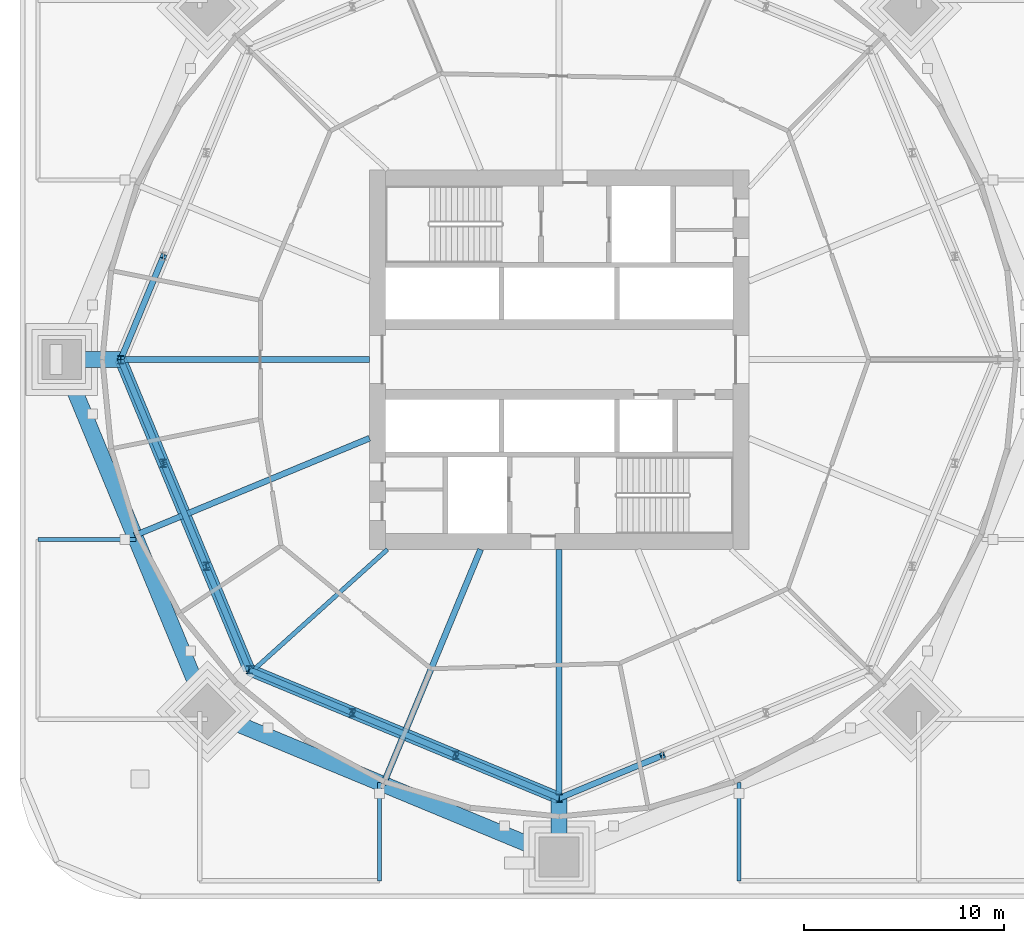
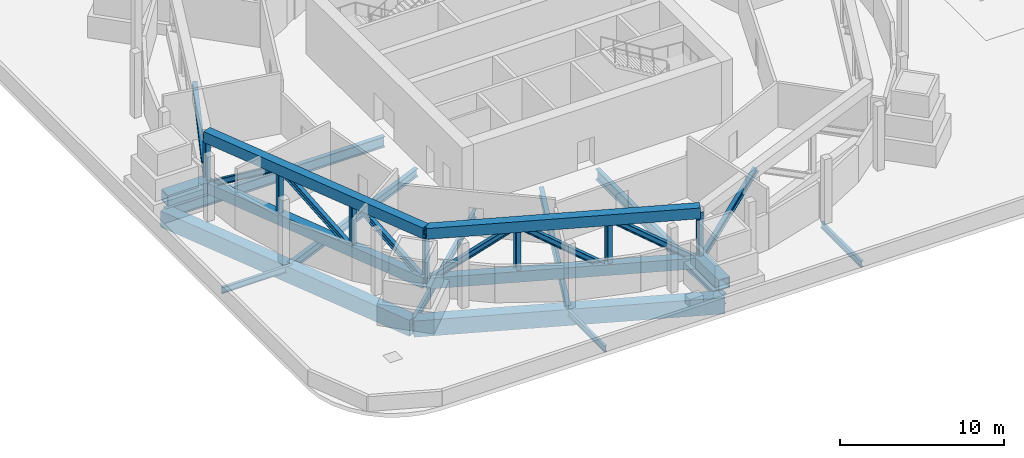
# One storey, part 2 of 21: 19 members, 12 beams.
"""IFC4 building model written with IfcOpenShell, lengths in metres."""

from ifc_helpers import new_model, si_unit, direction, frame, origin, origin_2d, place, context, subcontext, project, spatial, hollow_rectangle, i_section, extrude, material, material_profile, profile_set, type_object, element, save


model = new_model("IFC4")

# Units and contexts
model_context = context("Model", 3, precision=1e-05, world=origin(), true_north=direction((0.0, 1.0)))
body_context = subcontext(model_context, "Body", "Model", "MODEL_VIEW")
ifc_project = project(units=[si_unit("LENGTHUNIT", "METRE"), si_unit("AREAUNIT", "SQUARE_METRE"), si_unit("VOLUMEUNIT", "CUBIC_METRE"), si_unit("PLANEANGLEUNIT", "RADIAN"), si_unit("MASSUNIT", "GRAM", prefix="KILO")], contexts=[model_context])

# Site, building, storey
site_placement = place(None, origin())
site = spatial("IfcSite", under=ifc_project, at=site_placement, CompositionType="ELEMENT")
building_placement = place(site_placement, origin())
building = spatial("IfcBuilding", under=site, at=building_placement, Name="Ogive Gate Towers", CompositionType="ELEMENT")
storey_placement = place(building_placement, frame((0.0, 0.0, 27.60009765625)))
storey = spatial("IfcBuildingStorey", under=building, at=storey_placement, Name="L05", CompositionType="ELEMENT", Elevation=27.60009765625)

# Beams
ifc_material_1 = material(Name="Steel SM460", Category="steel")
ifc_material_profile_1 = material_profile(ifc_material_1, hollow_rectangle(XDim=0.800048828125, YDim=1.199951171875, WallThickness=0.050048828125, at=origin_2d()), Name="BX 1200x800x50")
ifc_profile_set_1 = profile_set([ifc_material_profile_1], Name="Steel SM460")
beam_type_1 = type_object("IfcBeamType", Name="Edge girder BX 1200x800x50", PredefinedType="BEAM", material=ifc_profile_set_1)
for number, where, z_axis, x_axis, name in (
    (1, (-53.614013671875, -17.614013671875, -0.900146484375), (0.923880736283, -0.382680526191, 0.0), (0.382680526191, 0.923880736283, 0.0), "T1/L05/SBM017"),
    (2, (-60.909912109375, 0.0, -0.900146484375), (0.382680526191, -0.923880736283, 0.0), (0.923880736283, 0.382680526191, 0.0), "T1/L05/SBM024"),
):
    element("IfcBeam", number, at=place(storey_placement, frame(where, z_axis=z_axis, x_axis=x_axis)), inside=storey, type_object=beam_type_1, Name=name, PredefinedType="BEAM", context=body_context, shape_type="SweptSolid", body=[
        extrude(hollow_rectangle(XDim=0.800048828125, YDim=1.199951171875, WallThickness=0.050048828125, at=origin_2d()), origin(), (0.0, 0.0, 1.0), 19.065185546875),
    ])
ifc_material_2 = material(Name="Steel SM355", Category="steel")
ifc_material_profile_2 = material_profile(ifc_material_2, i_section(OverallWidth=0.18994140625, OverallDepth=0.449951171875, WebThickness=0.009521484375, FlangeThickness=0.0146484375, FilletRadius=0.02099609375, at=origin_2d()), Name="IPE 450")
ifc_profile_set_2 = profile_set([ifc_material_profile_2], Name="Steel SM355")
beam_type_2 = type_object("IfcBeamType", Name="Floor beam IPE 450", PredefinedType="BEAM", material=ifc_profile_set_2)
for number, where, z_axis, x_axis, name in (
    (3, (-62.10009765625, -9.0, -0.525146484375), (1.0, 0.0, 0.0), (0.0, 1.0, 0.0), "PD/L05/SBM051"),
    (4, (-45.0, -26.10009765625, -0.525146484375), (0.0, 1.0, 0.0), (-1.0, 0.0, 0.0), "PD/L05/SBM053"),
    (5, (-27.0, -26.10009765625, -0.525146484375), (0.0, 1.0, 0.0), (-1.0, 0.0, 0.0), "PD/L05/SBM055"),
):
    element("IfcBeam", number, at=place(storey_placement, frame(where, z_axis=z_axis, x_axis=x_axis)), inside=storey, type_object=beam_type_2, Name=name, PredefinedType="BEAM", context=body_context, shape_type="SweptSolid", body=[
        extrude(i_section(OverallWidth=0.18994140625, OverallDepth=0.449951171875, WebThickness=0.009521484375, FlangeThickness=0.0146484375, FilletRadius=0.02099609375, at=origin_2d()), origin(), (0.0, 0.0, 1.0), 4.91796875),
    ])
ifc_material_profile_3 = material_profile(ifc_material_1, hollow_rectangle(XDim=0.800048828125, YDim=0.800048828125, WallThickness=0.050048828125, at=origin_2d()), Name="BX 800x800x50")
ifc_profile_set_3 = profile_set([ifc_material_profile_3], Name="Steel SM460")
beam_type_3 = type_object("IfcBeamType", Name="Node arm BX 800x800x50", PredefinedType="BEAM", material=ifc_profile_set_3)
for number, where, z_axis, x_axis, name in (
    (6, (-57.9599609375, 0.0, 0.449951171875), (-1.0, 0.0, 0.0), (0.0, -1.0, 0.0), "T1/L05/SBM029"),
    (7, (-36.0, -21.9599609375, 0.449951171875), (0.0, -1.0, 0.0), (1.0, 0.0, 0.0), "T1/L05/SBM031"),
):
    element("IfcBeam", number, at=place(storey_placement, frame(where, z_axis=z_axis, x_axis=x_axis)), inside=storey, type_object=beam_type_3, Name=name, PredefinedType="BEAM", context=body_context, shape_type="SweptSolid", body=[
        extrude(hollow_rectangle(XDim=0.800048828125, YDim=0.800048828125, WallThickness=0.050048828125, at=origin_2d()), origin(), (0.0, 0.0, 1.0), 2.949951171875),
    ])
ifc_material_profile_4 = material_profile(ifc_material_2, i_section(OverallWidth=0.300048828125, OverallDepth=0.590087890625, WebThickness=0.012939453125, FlangeThickness=0.02490234375, FilletRadius=0.027099609375, at=origin_2d()), Name="HE 600 A")
ifc_profile_set_4 = profile_set([ifc_material_profile_4], Name="Steel SM355")
beam_type_4 = type_object("IfcBeamType", Name="Radial floor beam HE 600 A", PredefinedType="BEAM", material=ifc_profile_set_4)
for number, where, z_axis, x_axis, name in (
    (8, (-39.93505859375, -9.5, -0.59521484375), (-0.382690523214, -0.923876595354, 0.0), (0.923876595354, -0.382690523214, 0.0), "T1/L05/SBM002"),
    (9, (-45.5, -3.93505859375, -0.59521484375), (-0.923876595354, -0.382690523214, 0.0), (0.382690523214, -0.923876595354, 0.0), "T1/L05/SBM016"),
):
    element("IfcBeam", number, at=place(storey_placement, frame(where, z_axis=z_axis, x_axis=x_axis)), inside=storey, type_object=beam_type_4, Name=name, PredefinedType="BEAM", context=body_context, shape_type="SweptSolid", body=[
        extrude(i_section(OverallWidth=0.300048828125, OverallDepth=0.590087890625, WebThickness=0.012939453125, FlangeThickness=0.02490234375, FilletRadius=0.027099609375, at=origin_2d()), origin(), (0.0, 0.0, 1.0), 12.731201171875),
    ])
ifc_material_profile_5 = material_profile(ifc_material_2, i_section(OverallWidth=0.300048828125, OverallDepth=0.7900390625, WebThickness=0.014892578125, FlangeThickness=0.028076171875, FilletRadius=0.030029296875, at=origin_2d()), Name="HE 800 A")
ifc_profile_set_5 = profile_set([ifc_material_profile_5], Name="Steel SM355")
beam_type_5 = type_object("IfcBeamType", Name="Radial floor beam HE 800 A", PredefinedType="BEAM", material=ifc_profile_set_5)
for number, where, z_axis, x_axis, name in (
    (10, (-36.0, -9.5, -0.695068359375), (0.0, -1.0, 0.0), (1.0, 0.0, 0.0), "T1/L05/SBM003"),
    (11, (-45.5, 0.0, -0.695068359375), (-1.0, 0.0, 0.0), (0.0, -1.0, 0.0), "T1/L05/SBM015"),
):
    element("IfcBeam", number, at=place(storey_placement, frame(where, z_axis=z_axis, x_axis=x_axis)), inside=storey, type_object=beam_type_5, Name=name, PredefinedType="BEAM", context=body_context, shape_type="SweptSolid", body=[
        extrude(i_section(OverallWidth=0.300048828125, OverallDepth=0.7900390625, WebThickness=0.014892578125, FlangeThickness=0.028076171875, FilletRadius=0.030029296875, at=origin_2d()), origin(), (0.0, 0.0, 1.0), 15.409912109375),
    ])
ifc_material_profile_6 = material_profile(ifc_material_2, i_section(OverallWidth=0.219970703125, OverallDepth=0.60009765625, WebThickness=0.011962890625, FlangeThickness=0.01904296875, FilletRadius=0.02392578125, at=origin_2d()), Name="IPE 600")
ifc_profile_set_6 = profile_set([ifc_material_profile_6], Name="Steel SM355")
beam_type_6 = type_object("IfcBeamType", Name="Radial floor beam IPE 600", PredefinedType="BEAM", material=ifc_profile_set_6)
beam_placement = place(storey_placement, frame((-44.60009765625, -9.5, -0.60009765625), z_axis=(-0.743233084761, -0.669032571491, 0.0), x_axis=(0.669032571491, -0.743233084761, 0.0)))
element("IfcBeam", 12, at=beam_placement, inside=storey, type_object=beam_type_6, Name="T1/L05/SBM001", PredefinedType="BEAM", context=body_context, shape_type="SweptSolid", body=[
    extrude(i_section(OverallWidth=0.219970703125, OverallDepth=0.60009765625, WebThickness=0.011962890625, FlangeThickness=0.01904296875, FilletRadius=0.02392578125, at=origin_2d()), origin(), (0.0, 0.0, 1.0), 12.1279296875),
])

# Members
ifc_material_profile_7 = material_profile(ifc_material_1, hollow_rectangle(XDim=0.60009765625, YDim=0.800048828125, WallThickness=0.0400390625, at=origin_2d()), Name="BX 800x600x40")
ifc_profile_set_7 = profile_set([ifc_material_profile_7], Name="Steel SM460")
member_type_1 = type_object("IfcMemberType", Name="Truss chord BX 800x600x40", PredefinedType="CHORD", material=ifc_profile_set_7)
for number, where, z_axis, x_axis, name in (
    (13, (-57.9599609375, 0.0, 0.39990234375), (0.382680640128, -0.923880689089, 0.0), (0.923880689089, 0.382680640128, 0.0), "T1/L05/STR034"),
    (14, (-57.9599609375, 0.0, 4.099853515625), (0.382680640128, -0.923880689089, 0.0), (0.923880689089, 0.382680640128, 0.0), "T1/L05/STR035"),
    (15, (-51.528076171875, -15.528076171875, 0.39990234375), (0.923880689089, -0.382680640128, 0.0), (0.382680640128, 0.923880689089, 0.0), "T1/L05/STR042"),
    (16, (-51.528076171875, -15.528076171875, 4.099853515625), (0.923880689089, -0.382680640128, 0.0), (0.382680640128, 0.923880689089, 0.0), "T1/L05/STR043"),
):
    element("IfcMember", number, at=place(storey_placement, frame(where, z_axis=z_axis, x_axis=x_axis)), inside=storey, type_object=member_type_1, Name=name, PredefinedType="CHORD", context=body_context, shape_type="SweptSolid", body=[
        extrude(hollow_rectangle(XDim=0.60009765625, YDim=0.800048828125, WallThickness=0.0400390625, at=origin_2d()), origin(), (0.0, 0.0, 1.0), 16.807373046875),
    ])
ifc_material_profile_8 = material_profile(ifc_material_1, i_section(OverallWidth=0.300048828125, OverallDepth=0.39990234375, WebThickness=0.013427734375, FlangeThickness=0.02392578125, FilletRadius=0.027099609375, at=origin_2d()), Name="HE 400 B")
ifc_profile_set_8 = profile_set([ifc_material_profile_8], Name="Steel SM460")
member_type_2 = type_object("IfcMemberType", Name="Truss diagonal HE 400 B", PredefinedType="BRACE", material=ifc_profile_set_8)
for number, where, z_axis, x_axis, name in (
    (17, (-55.81591796875, 5.176025390625, 4.099853515625), (-0.319339131165, -0.770930189005, -0.551079996904), (0.92387555344, -0.382693038551, 0.0), "T1/L05/STR030"),
    (18, (-57.9599609375, 0.0, 0.39990234375), (0.319339131165, -0.770930189005, 0.551079996904), (0.92387555344, 0.382693038551, 0.0), "T1/L05/STR036"),
):
    element("IfcMember", number, at=place(storey_placement, frame(where, z_axis=z_axis, x_axis=x_axis)), inside=storey, type_object=member_type_2, Name=name, PredefinedType="BRACE", context=body_context, shape_type="SweptSolid", body=[
        extrude(i_section(OverallWidth=0.300048828125, OverallDepth=0.39990234375, WebThickness=0.013427734375, FlangeThickness=0.02392578125, FilletRadius=0.027099609375, at=origin_2d()), origin(), (0.0, 0.0, 1.0), 6.714111328125),
    ])
member_1_placement = place(storey_placement, frame((-55.81591796875, -5.176025390625, 4.099853515625), z_axis=(0.319306475879, -0.770939140771, -0.551086395848), x_axis=(0.923890960058, 0.382655842662, 0.0)))
element("IfcMember", 19, at=member_1_placement, inside=storey, type_object=member_type_2, Name="T1/L05/STR037", PredefinedType="BRACE", context=body_context, shape_type="SweptSolid", body=[
    extrude(i_section(OverallWidth=0.300048828125, OverallDepth=0.39990234375, WebThickness=0.013427734375, FlangeThickness=0.02392578125, FilletRadius=0.027099609375, at=origin_2d()), origin(), (0.0, 0.0, 1.0), 6.7138671875),
])
for number, where, z_axis, x_axis, name in (
    (20, (-53.672119140625, -10.35205078125, 4.099853515625), (0.319339131165, -0.770930189005, -0.551079996904), (0.92387555344, 0.382693038551, 0.0), "T1/L05/STR038"),
    (21, (-51.528076171875, -15.528076171875, 0.39990234375), (0.770930189005, -0.319339131165, 0.551079996904), (0.382693038551, 0.92387555344, 0.0), "T1/L05/STR044"),
):
    element("IfcMember", number, at=place(storey_placement, frame(where, z_axis=z_axis, x_axis=x_axis)), inside=storey, type_object=member_type_2, Name=name, PredefinedType="BRACE", context=body_context, shape_type="SweptSolid", body=[
        extrude(i_section(OverallWidth=0.300048828125, OverallDepth=0.39990234375, WebThickness=0.013427734375, FlangeThickness=0.02392578125, FilletRadius=0.027099609375, at=origin_2d()), origin(), (0.0, 0.0, 1.0), 6.714111328125),
    ])
member_2_placement = place(storey_placement, frame((-46.35205078125, -17.672119140625, 4.099853515625), z_axis=(0.770939140771, -0.319306475879, -0.551086395848), x_axis=(0.382655842662, 0.923890960058, 0.0)))
element("IfcMember", 22, at=member_2_placement, inside=storey, type_object=member_type_2, Name="T1/L05/STR045", PredefinedType="BRACE", context=body_context, shape_type="SweptSolid", body=[
    extrude(i_section(OverallWidth=0.300048828125, OverallDepth=0.39990234375, WebThickness=0.013427734375, FlangeThickness=0.02392578125, FilletRadius=0.027099609375, at=origin_2d()), origin(), (0.0, 0.0, 1.0), 6.7138671875),
])
for number, where, z_axis, x_axis, name in (
    (23, (-41.176025390625, -19.81591796875, 4.099853515625), (0.770930189005, -0.319339131165, -0.551079996904), (0.382693038551, 0.92387555344, 0.0), "T1/L05/STR046"),
    (24, (-36.0, -21.9599609375, 0.39990234375), (0.770930189005, 0.319339131165, 0.551079996904), (-0.382693038551, 0.92387555344, 0.0), "T1/L05/STR052"),
):
    element("IfcMember", number, at=place(storey_placement, frame(where, z_axis=z_axis, x_axis=x_axis)), inside=storey, type_object=member_type_2, Name=name, PredefinedType="BRACE", context=body_context, shape_type="SweptSolid", body=[
        extrude(i_section(OverallWidth=0.300048828125, OverallDepth=0.39990234375, WebThickness=0.013427734375, FlangeThickness=0.02392578125, FilletRadius=0.027099609375, at=origin_2d()), origin(), (0.0, 0.0, 1.0), 6.714111328125),
    ])
ifc_material_profile_9 = material_profile(ifc_material_1, i_section(OverallWidth=0.300048828125, OverallDepth=0.39990234375, WebThickness=0.013427734375, FlangeThickness=0.02392578125, FilletRadius=0.027099609375, at=origin_2d()), Name="HE 400 B")
ifc_profile_set_9 = profile_set([ifc_material_profile_9], Name="Steel SM460")
member_type_3 = type_object("IfcMemberType", Name="Truss post HE 400 B", PredefinedType="POST", material=ifc_profile_set_9)
for number, where, z_axis, x_axis, name in (
    (25, (-57.9599609375, 0.0, 0.39990234375), (0.0, 0.0, 1.0), (1.0, 0.0, 0.0), "T1/L05/STR033"),
    (26, (-55.81591796875, -5.176025390625, 0.39990234375), (0.0, 0.0, 1.0), (1.0, 0.0, 0.0), "T1/L05/STR039"),
    (27, (-53.672119140625, -10.35205078125, 0.39990234375), (0.0, 0.0, 1.0), (1.0, 0.0, 0.0), "T1/L05/STR040"),
    (28, (-51.528076171875, -15.528076171875, 0.39990234375), (0.0, 0.0, 1.0), (1.0, 0.0, 0.0), "T1/L05/STR041"),
    (29, (-46.35205078125, -17.672119140625, 0.39990234375), (0.0, 0.0, 1.0), (1.0, 0.0, 0.0), "T1/L05/STR047"),
    (30, (-41.176025390625, -19.81591796875, 0.39990234375), (0.0, 0.0, 1.0), (1.0, 0.0, 0.0), "T1/L05/STR048"),
    (31, (-36.0, -21.9599609375, 0.39990234375), (0.0, 0.0, 1.0), (1.0, 0.0, 0.0), "T1/L05/STR049"),
):
    element("IfcMember", number, at=place(storey_placement, frame(where, z_axis=z_axis, x_axis=x_axis)), inside=storey, type_object=member_type_3, Name=name, PredefinedType="POST", context=body_context, shape_type="SweptSolid", body=[
        extrude(i_section(OverallWidth=0.300048828125, OverallDepth=0.39990234375, WebThickness=0.013427734375, FlangeThickness=0.02392578125, FilletRadius=0.027099609375, at=origin_2d()), origin(), (0.0, 0.0, 1.0), 3.699951171875),
    ])

save(model, "model.ifc")
